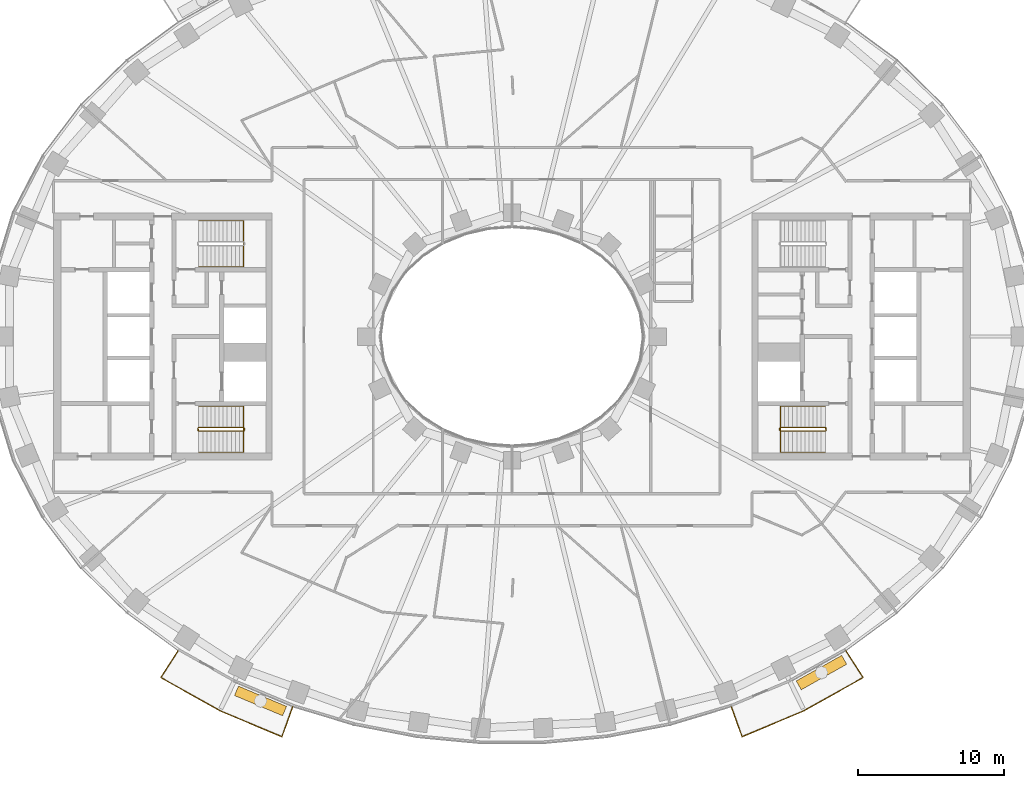
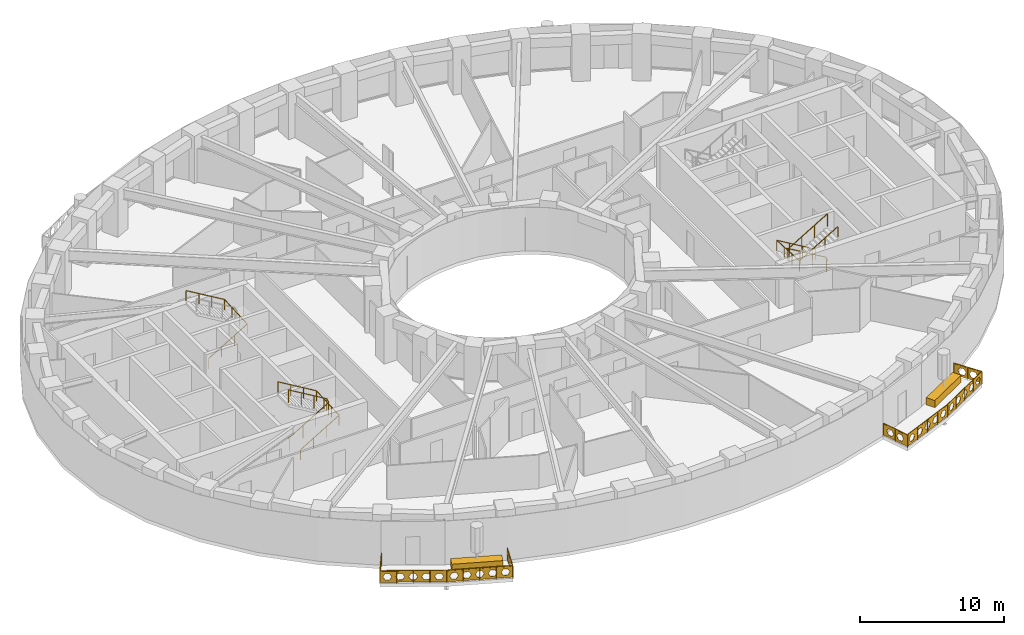
# One storey, part 13 of 15: 7 railings, 2 coverings.
"""IFC4 building model written with IfcOpenShell, lengths in metres."""

from ifc_helpers import new_model, si_unit, direction, frame, origin, origin_2d, place, context, subcontext, project, spatial, polyline, rectangle, outline, extrude, material, type_object, element, save


model = new_model("IFC4")

# Units and contexts
model_context = context("Model", 3, precision=1e-05, world=origin(), true_north=direction((0.0, 1.0)))
body_context = subcontext(model_context, "Body", "Model", "MODEL_VIEW")
ifc_project = project(units=[si_unit("LENGTHUNIT", "METRE"), si_unit("AREAUNIT", "SQUARE_METRE"), si_unit("VOLUMEUNIT", "CUBIC_METRE"), si_unit("PLANEANGLEUNIT", "RADIAN"), si_unit("MASSUNIT", "GRAM", prefix="KILO")], contexts=[model_context])

# Site, building, storey
site_placement = place(None, origin())
site = spatial("IfcSite", under=ifc_project, at=site_placement, CompositionType="ELEMENT")
building_placement = place(site_placement, origin())
building = spatial("IfcBuilding", under=site, at=building_placement, Name="Noorbagh Ring Tower", CompositionType="ELEMENT")
storey_placement = place(building_placement, frame((0.0, 0.0, 92.0)))
storey = spatial("IfcBuildingStorey", under=building, at=storey_placement, Name="L20", CompositionType="ELEMENT", Elevation=92.0)

# Railings
ifc_material_1 = material(Name="Stainless steel", Category="steel")
railing_type_1 = type_object("IfcRailingType", Name="CORE-STAIR-GUARD", PredefinedType="GUARDRAIL", material=ifc_material_1)
railing_1_placement = place(storey_placement, frame((-21.580078125, -6.449951171875, 0.0)))
element("IfcRailing", 1, at=railing_1_placement, inside=storey, type_object=railing_type_1, Name="L20 ST2 stair guard", PredefinedType="GUARDRAIL", context=body_context, shape_type="SweptSolid", body=[
    extrude(rectangle(XDim=0.048095703125, YDim=0.048095703125, at=origin_2d()), frame((0.0, 0.0, 1.076171875), z_axis=(0.0, 1.0, 0.0), x_axis=(-1.0, 0.0, 0.0)), (0.0, 0.0, 1.0), 0.14990234375),
    extrude(rectangle(XDim=0.048095703125, YDim=0.048095703125, at=origin_2d()), frame((0.0, 0.14990234375, 1.076171875), z_axis=(0.188775798145, -0.754182335027, 0.628945707965), x_axis=(0.970072785993, 0.242814311512, 0.0)), (0.0, 0.0, 1.0), 0.26513671875),
    extrude(rectangle(XDim=0.048095703125, YDim=0.048095703125, at=origin_2d()), frame((0.050048828125, -0.050048828125, 1.24267578125), z_axis=(0.859308565015, 0.0, 0.511457515432), x_axis=(0.0, 1.0, 0.0)), (0.0, 0.0, 1.0), 3.58447265625),
    extrude(rectangle(XDim=0.048095703125, YDim=0.048095703125, at=origin_2d()), frame((3.130126953125, -0.050048828125, 3.076171875), z_axis=(0.707106781187, 0.707106781187, 0.0), x_axis=(-0.707106781187, 0.707106781187, 0.0)), (0.0, 0.0, 1.0), 0.07080078125),
    extrude(rectangle(XDim=0.048095703125, YDim=0.048095703125, at=origin_2d()), frame((3.18017578125, 0.0, 3.076171875), z_axis=(0.0, 1.0, 0.0), x_axis=(-1.0, 0.0, 0.0)), (0.0, 0.0, 1.0), 0.14990234375),
    extrude(rectangle(XDim=0.048095703125, YDim=0.048095703125, at=origin_2d()), frame((3.18017578125, 0.14990234375, 3.076171875), z_axis=(-0.27628659633, 0.27628659633, 0.920506074601), x_axis=(-0.707106781187, -0.707106781187, 0.0)), (0.0, 0.0, 1.0), 0.18115234375),
    extrude(rectangle(XDim=0.048095703125, YDim=0.048095703125, at=origin_2d()), frame((3.130126953125, 0.199951171875, 3.24267578125), z_axis=(-0.859308565015, 0.0, 0.511457515432), x_axis=(0.0, -1.0, 0.0)), (0.0, 0.0, 1.0), 3.58447265625),
    extrude(rectangle(XDim=0.0419921875, YDim=0.0419921875, at=origin_2d()), origin(), (0.0, 0.0, 1.0), 1.052001953125),
    extrude(rectangle(XDim=0.0419921875, YDim=0.0419921875, at=origin_2d()), frame((1.07666015625, -0.050048828125, 0.77783203125)), (0.0, 0.0, 1.0), 1.052001953125),
    extrude(rectangle(XDim=0.0419921875, YDim=0.0419921875, at=origin_2d()), frame((2.103515625, -0.050048828125, 1.388916015625)), (0.0, 0.0, 1.0), 1.052001953125),
    extrude(rectangle(XDim=0.0419921875, YDim=0.0419921875, at=origin_2d()), frame((3.130126953125, -0.050048828125, 2.0)), (0.0, 0.0, 1.0), 1.052001953125),
    extrude(rectangle(XDim=0.0419921875, YDim=0.0419921875, at=origin_2d()), frame((3.130126953125, 0.199951171875, 2.166748046875)), (0.0, 0.0, 1.0), 1.052001953125),
    extrude(rectangle(XDim=0.0419921875, YDim=0.0419921875, at=origin_2d()), frame((2.103515625, 0.199951171875, 2.77783203125)), (0.0, 0.0, 1.0), 1.052001953125),
    extrude(rectangle(XDim=0.0419921875, YDim=0.0419921875, at=origin_2d()), frame((1.07666015625, 0.199951171875, 3.388916015625)), (0.0, 0.0, 1.0), 1.052001953125),
    extrude(rectangle(XDim=0.0419921875, YDim=0.0419921875, at=origin_2d()), frame((0.050048828125, 0.199951171875, 4.0)), (0.0, 0.0, 1.0), 1.052001953125),
])
railing_2_placement = place(storey_placement, frame((21.580078125, -6.300048828125, 0.0)))
element("IfcRailing", 2, at=railing_2_placement, inside=storey, type_object=railing_type_1, Name="L20 ST4 stair guard", PredefinedType="GUARDRAIL", context=body_context, shape_type="SweptSolid", body=[
    extrude(rectangle(XDim=0.048095703125, YDim=0.048095703125, at=origin_2d()), frame((0.0, 0.0, 1.076171875), z_axis=(0.0, -1.0, 0.0), x_axis=(1.0, 0.0, 0.0)), (0.0, 0.0, 1.0), 0.14990234375),
    extrude(rectangle(XDim=0.048095703125, YDim=0.048095703125, at=origin_2d()), frame((0.0, -0.14990234375, 1.076171875), z_axis=(-0.188775798145, 0.754182335027, 0.628945707965), x_axis=(-0.970072785993, -0.242814311512, 0.0)), (0.0, 0.0, 1.0), 0.26513671875),
    extrude(rectangle(XDim=0.048095703125, YDim=0.048095703125, at=origin_2d()), frame((-0.050048828125, 0.050048828125, 1.24267578125), z_axis=(-0.859308565015, 0.0, 0.511457515432), x_axis=(0.0, -1.0, 0.0)), (0.0, 0.0, 1.0), 3.58447265625),
    extrude(rectangle(XDim=0.048095703125, YDim=0.048095703125, at=origin_2d()), frame((-3.130126953125, 0.050048828125, 3.076171875), z_axis=(-0.707106781187, -0.707106781187, 0.0), x_axis=(0.707106781187, -0.707106781187, 0.0)), (0.0, 0.0, 1.0), 0.07080078125),
    extrude(rectangle(XDim=0.048095703125, YDim=0.048095703125, at=origin_2d()), frame((-3.18017578125, 0.0, 3.076171875), z_axis=(0.0, -1.0, 0.0), x_axis=(1.0, 0.0, 0.0)), (0.0, 0.0, 1.0), 0.14990234375),
    extrude(rectangle(XDim=0.048095703125, YDim=0.048095703125, at=origin_2d()), frame((-3.18017578125, -0.14990234375, 3.076171875), z_axis=(0.27628659633, -0.27628659633, 0.920506074601), x_axis=(0.707106781187, 0.707106781187, 0.0)), (0.0, 0.0, 1.0), 0.18115234375),
    extrude(rectangle(XDim=0.048095703125, YDim=0.048095703125, at=origin_2d()), frame((-3.130126953125, -0.199951171875, 3.24267578125), z_axis=(0.859308565015, 0.0, 0.511457515432), x_axis=(0.0, 1.0, 0.0)), (0.0, 0.0, 1.0), 3.58447265625),
    extrude(rectangle(XDim=0.0419921875, YDim=0.0419921875, at=origin_2d()), origin(), (0.0, 0.0, 1.0), 1.052001953125),
    extrude(rectangle(XDim=0.0419921875, YDim=0.0419921875, at=origin_2d()), frame((-1.07666015625, 0.050048828125, 0.77783203125)), (0.0, 0.0, 1.0), 1.052001953125),
    extrude(rectangle(XDim=0.0419921875, YDim=0.0419921875, at=origin_2d()), frame((-2.103515625, 0.050048828125, 1.388916015625)), (0.0, 0.0, 1.0), 1.052001953125),
    extrude(rectangle(XDim=0.0419921875, YDim=0.0419921875, at=origin_2d()), frame((-3.130126953125, 0.050048828125, 2.0)), (0.0, 0.0, 1.0), 1.052001953125),
    extrude(rectangle(XDim=0.0419921875, YDim=0.0419921875, at=origin_2d()), frame((-3.130126953125, -0.199951171875, 2.166748046875)), (0.0, 0.0, 1.0), 1.052001953125),
    extrude(rectangle(XDim=0.0419921875, YDim=0.0419921875, at=origin_2d()), frame((-2.103515625, -0.199951171875, 2.77783203125)), (0.0, 0.0, 1.0), 1.052001953125),
    extrude(rectangle(XDim=0.0419921875, YDim=0.0419921875, at=origin_2d()), frame((-1.07666015625, -0.199951171875, 3.388916015625)), (0.0, 0.0, 1.0), 1.052001953125),
    extrude(rectangle(XDim=0.0419921875, YDim=0.0419921875, at=origin_2d()), frame((-0.050048828125, -0.199951171875, 4.0)), (0.0, 0.0, 1.0), 1.052001953125),
])
ifc_material_2 = material(Name="Stainless steel", Category="steel")
railing_type_2 = type_object("IfcRailingType", Name="CORE-STAIR-HANDRAIL", PredefinedType="HANDRAIL", material=ifc_material_2)
railing_3_placement = place(storey_placement, frame((-21.530029296875, 4.800048828125, 0.166748046875)))
element("IfcRailing", 3, at=railing_3_placement, inside=storey, type_object=railing_type_2, Name="L20 ST1 stair handrail", PredefinedType="HANDRAIL", context=body_context, shape_type="SweptSolid", body=[
    extrude(rectangle(XDim=0.048095703125, YDim=0.048095703125, at=origin_2d()), frame((0.0, 0.0, 0.8759765625), z_axis=(0.859308565015, 0.0, 0.511457515432), x_axis=(0.0, 1.0, 0.0)), (0.0, 0.0, 1.0), 3.58447265625),
    extrude(rectangle(XDim=0.048095703125, YDim=0.048095703125, at=origin_2d()), frame((3.080078125, 0.0, 2.708984375), z_axis=(0.0, 0.998601747152, 0.052863509014), x_axis=(-1.0, 0.0, 0.0)), (0.0, 0.0, 1.0), 3.154296875),
    extrude(rectangle(XDim=0.048095703125, YDim=0.048095703125, at=origin_2d()), frame((3.080078125, 3.14990234375, 2.8759765625), z_axis=(-0.859308565015, 0.0, 0.511457515432), x_axis=(0.0, -1.0, 0.0)), (0.0, 0.0, 1.0), 3.58447265625),
    extrude(rectangle(XDim=0.0419921875, YDim=0.0419921875, at=origin_2d()), origin(), (0.0, 0.0, 1.0), 0.851806640625),
    extrude(rectangle(XDim=0.0419921875, YDim=0.0419921875, at=origin_2d()), frame((1.026611328125, 0.0, 0.611083984375)), (0.0, 0.0, 1.0), 0.851806640625),
    extrude(rectangle(XDim=0.0419921875, YDim=0.0419921875, at=origin_2d()), frame((2.053466796875, 0.0, 1.22216796875)), (0.0, 0.0, 1.0), 0.851806640625),
    extrude(rectangle(XDim=0.0419921875, YDim=0.0419921875, at=origin_2d()), frame((3.080078125, 0.0, 1.833251953125)), (0.0, 0.0, 1.0), 0.851806640625),
    extrude(rectangle(XDim=0.0419921875, YDim=0.0419921875, at=origin_2d()), frame((3.080078125, 1.050048828125, 1.888916015625)), (0.0, 0.0, 1.0), 0.851806640625),
    extrude(rectangle(XDim=0.0419921875, YDim=0.0419921875, at=origin_2d()), frame((3.080078125, 2.099853515625, 1.9443359375)), (0.0, 0.0, 1.0), 0.851806640625),
    extrude(rectangle(XDim=0.0419921875, YDim=0.0419921875, at=origin_2d()), frame((3.080078125, 3.14990234375, 2.0)), (0.0, 0.0, 1.0), 0.851806640625),
    extrude(rectangle(XDim=0.0419921875, YDim=0.0419921875, at=origin_2d()), frame((2.053466796875, 3.14990234375, 2.611083984375)), (0.0, 0.0, 1.0), 0.851806640625),
    extrude(rectangle(XDim=0.0419921875, YDim=0.0419921875, at=origin_2d()), frame((1.026611328125, 3.14990234375, 3.22216796875)), (0.0, 0.0, 1.0), 0.851806640625),
    extrude(rectangle(XDim=0.0419921875, YDim=0.0419921875, at=origin_2d()), frame((0.0, 3.14990234375, 3.833251953125)), (0.0, 0.0, 1.0), 0.851806640625),
])
railing_4_placement = place(storey_placement, frame((-21.530029296875, -7.949951171875, 0.166748046875)))
element("IfcRailing", 4, at=railing_4_placement, inside=storey, type_object=railing_type_2, Name="L20 ST2 stair handrail", PredefinedType="HANDRAIL", context=body_context, shape_type="SweptSolid", body=[
    extrude(rectangle(XDim=0.048095703125, YDim=0.048095703125, at=origin_2d()), frame((0.0, 0.0, 0.8759765625), z_axis=(0.859308565015, 0.0, 0.511457515432), x_axis=(0.0, 1.0, 0.0)), (0.0, 0.0, 1.0), 3.58447265625),
    extrude(rectangle(XDim=0.048095703125, YDim=0.048095703125, at=origin_2d()), frame((3.080078125, 0.0, 2.708984375), z_axis=(0.0, 0.998601747152, 0.052863509014), x_axis=(-1.0, 0.0, 0.0)), (0.0, 0.0, 1.0), 3.154296875),
    extrude(rectangle(XDim=0.048095703125, YDim=0.048095703125, at=origin_2d()), frame((3.080078125, 3.14990234375, 2.8759765625), z_axis=(-0.859308565015, 0.0, 0.511457515432), x_axis=(0.0, -1.0, 0.0)), (0.0, 0.0, 1.0), 3.58447265625),
    extrude(rectangle(XDim=0.0419921875, YDim=0.0419921875, at=origin_2d()), origin(), (0.0, 0.0, 1.0), 0.851806640625),
    extrude(rectangle(XDim=0.0419921875, YDim=0.0419921875, at=origin_2d()), frame((1.026611328125, 0.0, 0.611083984375)), (0.0, 0.0, 1.0), 0.851806640625),
    extrude(rectangle(XDim=0.0419921875, YDim=0.0419921875, at=origin_2d()), frame((2.053466796875, 0.0, 1.22216796875)), (0.0, 0.0, 1.0), 0.851806640625),
    extrude(rectangle(XDim=0.0419921875, YDim=0.0419921875, at=origin_2d()), frame((3.080078125, 0.0, 1.833251953125)), (0.0, 0.0, 1.0), 0.851806640625),
    extrude(rectangle(XDim=0.0419921875, YDim=0.0419921875, at=origin_2d()), frame((3.080078125, 1.050048828125, 1.888916015625)), (0.0, 0.0, 1.0), 0.851806640625),
    extrude(rectangle(XDim=0.0419921875, YDim=0.0419921875, at=origin_2d()), frame((3.080078125, 2.099853515625, 1.9443359375)), (0.0, 0.0, 1.0), 0.851806640625),
    extrude(rectangle(XDim=0.0419921875, YDim=0.0419921875, at=origin_2d()), frame((3.080078125, 3.14990234375, 2.0)), (0.0, 0.0, 1.0), 0.851806640625),
    extrude(rectangle(XDim=0.0419921875, YDim=0.0419921875, at=origin_2d()), frame((2.053466796875, 3.14990234375, 2.611083984375)), (0.0, 0.0, 1.0), 0.851806640625),
    extrude(rectangle(XDim=0.0419921875, YDim=0.0419921875, at=origin_2d()), frame((1.026611328125, 3.14990234375, 3.22216796875)), (0.0, 0.0, 1.0), 0.851806640625),
    extrude(rectangle(XDim=0.0419921875, YDim=0.0419921875, at=origin_2d()), frame((0.0, 3.14990234375, 3.833251953125)), (0.0, 0.0, 1.0), 0.851806640625),
])
railing_5_placement = place(storey_placement, frame((21.530029296875, -4.800048828125, 0.166748046875)))
element("IfcRailing", 5, at=railing_5_placement, inside=storey, type_object=railing_type_2, Name="L20 ST4 stair handrail", PredefinedType="HANDRAIL", context=body_context, shape_type="SweptSolid", body=[
    extrude(rectangle(XDim=0.048095703125, YDim=0.048095703125, at=origin_2d()), frame((0.0, 0.0, 0.8759765625), z_axis=(-0.859308565015, 0.0, 0.511457515432), x_axis=(0.0, -1.0, 0.0)), (0.0, 0.0, 1.0), 3.58447265625),
    extrude(rectangle(XDim=0.048095703125, YDim=0.048095703125, at=origin_2d()), frame((-3.080078125, 0.0, 2.708984375), z_axis=(0.0, -0.998601747152, 0.052863509014), x_axis=(1.0, 0.0, 0.0)), (0.0, 0.0, 1.0), 3.154296875),
    extrude(rectangle(XDim=0.048095703125, YDim=0.048095703125, at=origin_2d()), frame((-3.080078125, -3.14990234375, 2.8759765625), z_axis=(0.859308565015, 0.0, 0.511457515432), x_axis=(0.0, 1.0, 0.0)), (0.0, 0.0, 1.0), 3.58447265625),
    extrude(rectangle(XDim=0.0419921875, YDim=0.0419921875, at=origin_2d()), origin(), (0.0, 0.0, 1.0), 0.851806640625),
    extrude(rectangle(XDim=0.0419921875, YDim=0.0419921875, at=origin_2d()), frame((-1.026611328125, 0.0, 0.611083984375)), (0.0, 0.0, 1.0), 0.851806640625),
    extrude(rectangle(XDim=0.0419921875, YDim=0.0419921875, at=origin_2d()), frame((-2.053466796875, 0.0, 1.22216796875)), (0.0, 0.0, 1.0), 0.851806640625),
    extrude(rectangle(XDim=0.0419921875, YDim=0.0419921875, at=origin_2d()), frame((-3.080078125, 0.0, 1.833251953125)), (0.0, 0.0, 1.0), 0.851806640625),
    extrude(rectangle(XDim=0.0419921875, YDim=0.0419921875, at=origin_2d()), frame((-3.080078125, -1.050048828125, 1.888916015625)), (0.0, 0.0, 1.0), 0.851806640625),
    extrude(rectangle(XDim=0.0419921875, YDim=0.0419921875, at=origin_2d()), frame((-3.080078125, -2.099853515625, 1.9443359375)), (0.0, 0.0, 1.0), 0.851806640625),
    extrude(rectangle(XDim=0.0419921875, YDim=0.0419921875, at=origin_2d()), frame((-3.080078125, -3.14990234375, 2.0)), (0.0, 0.0, 1.0), 0.851806640625),
    extrude(rectangle(XDim=0.0419921875, YDim=0.0419921875, at=origin_2d()), frame((-2.053466796875, -3.14990234375, 2.611083984375)), (0.0, 0.0, 1.0), 0.851806640625),
    extrude(rectangle(XDim=0.0419921875, YDim=0.0419921875, at=origin_2d()), frame((-1.026611328125, -3.14990234375, 3.22216796875)), (0.0, 0.0, 1.0), 0.851806640625),
    extrude(rectangle(XDim=0.0419921875, YDim=0.0419921875, at=origin_2d()), frame((0.0, -3.14990234375, 3.833251953125)), (0.0, 0.0, 1.0), 0.851806640625),
])
ifc_material_3 = material(Name="Steel S275 black powder-coated", Category="steel")
railing_type_3 = type_object("IfcRailingType", Name="ENV-GUARD", PredefinedType="GUARDRAIL", material=ifc_material_3)
railing_6_placement = place(storey_placement, frame((-22.9326171875, -21.583740234375, 0.0)))
element("IfcRailing", 6, at=railing_6_placement, inside=storey, type_object=railing_type_3, Name="Balcony guard BS02", PredefinedType="GUARDRAIL", context=body_context, shape_type="SweptSolid", body=[
    extrude(rectangle(XDim=0.048095703125, YDim=0.048095703125, at=origin_2d()), frame((0.0, 0.0, 1.076171875), z_axis=(-0.542268136821, -0.840205491406, 0.0), x_axis=(0.840205491406, -0.542268136821, 0.0)), (0.0, 0.0, 1.0), 2.204345703125),
    extrude(rectangle(XDim=0.048095703125, YDim=0.048095703125, at=origin_2d()), frame((-1.1953125, -1.85205078125, 1.076171875), z_axis=(0.872052247658, -0.489412788303, 0.0), x_axis=(0.489412788303, 0.872052247658, 0.0)), (0.0, 0.0, 1.0), 4.646240234375),
    extrude(rectangle(XDim=0.048095703125, YDim=0.048095703125, at=origin_2d()), frame((2.8564453125, -4.1259765625, 1.076171875), z_axis=(0.921809087722, -0.387644174203, 0.0), x_axis=(0.387644174203, 0.921809087722, 0.0)), (0.0, 0.0, 1.0), 4.627197265625),
    extrude(rectangle(XDim=0.048095703125, YDim=0.048095703125, at=origin_2d()), frame((7.121826171875, -5.919677734375, 1.076171875), z_axis=(0.338350546839, 0.941020141896, 0.0), x_axis=(-0.941020141896, 0.338350546839, 0.0)), (0.0, 0.0, 1.0), 2.202880859375),
    extrude(rectangle(XDim=0.0419921875, YDim=0.0419921875, at=origin_2d()), origin(), (0.0, 0.0, 1.0), 1.052001953125),
    extrude(rectangle(XDim=0.0419921875, YDim=0.0419921875, at=origin_2d()), frame((-0.59765625, -0.926025390625, 0.0)), (0.0, 0.0, 1.0), 1.052001953125),
    extrude(rectangle(XDim=0.0419921875, YDim=0.0419921875, at=origin_2d()), frame((-1.1953125, -1.85205078125, 0.0)), (0.0, 0.0, 1.0), 1.052001953125),
    extrude(rectangle(XDim=0.0419921875, YDim=0.0419921875, at=origin_2d()), frame((-0.182373046875, -2.42041015625, 0.0)), (0.0, 0.0, 1.0), 1.052001953125),
    extrude(rectangle(XDim=0.0419921875, YDim=0.0419921875, at=origin_2d()), frame((0.83056640625, -2.989013671875, 0.0)), (0.0, 0.0, 1.0), 1.052001953125),
    extrude(rectangle(XDim=0.0419921875, YDim=0.0419921875, at=origin_2d()), frame((1.843505859375, -3.5576171875, 0.0)), (0.0, 0.0, 1.0), 1.052001953125),
    extrude(rectangle(XDim=0.0419921875, YDim=0.0419921875, at=origin_2d()), frame((2.8564453125, -4.1259765625, 0.0)), (0.0, 0.0, 1.0), 1.052001953125),
    extrude(rectangle(XDim=0.0419921875, YDim=0.0419921875, at=origin_2d()), frame((3.9228515625, -4.574462890625, 0.0)), (0.0, 0.0, 1.0), 1.052001953125),
    extrude(rectangle(XDim=0.0419921875, YDim=0.0419921875, at=origin_2d()), frame((4.9892578125, -5.02294921875, 0.0)), (0.0, 0.0, 1.0), 1.052001953125),
    extrude(rectangle(XDim=0.0419921875, YDim=0.0419921875, at=origin_2d()), frame((6.055419921875, -5.47119140625, 0.0)), (0.0, 0.0, 1.0), 1.052001953125),
    extrude(rectangle(XDim=0.0419921875, YDim=0.0419921875, at=origin_2d()), frame((7.121826171875, -5.919677734375, 0.0)), (0.0, 0.0, 1.0), 1.052001953125),
    extrude(rectangle(XDim=0.0419921875, YDim=0.0419921875, at=origin_2d()), frame((7.49462890625, -4.88330078125, 0.0)), (0.0, 0.0, 1.0), 1.052001953125),
    extrude(rectangle(XDim=0.0419921875, YDim=0.0419921875, at=origin_2d()), frame((7.8671875, -3.8466796875, 0.0)), (0.0, 0.0, 1.0), 1.052001953125),
    extrude(outline(polyline([(0.0, 0.10009765625), (2.204345703125, 0.10009765625), (2.204345703125, 1.031982421875), (0.0, 1.031982421875), (0.0, 0.10009765625)]), holes=[polyline([(0.962158203125, 0.56591796875), (0.80712890625, 0.83447265625), (0.4970703125, 0.83447265625), (0.342041015625, 0.56591796875), (0.4970703125, 0.297607421875), (0.80712890625, 0.297607421875), (0.962158203125, 0.56591796875)]), polyline([(1.862060546875, 0.56591796875), (1.70703125, 0.83447265625), (1.397216796875, 0.83447265625), (1.2421875, 0.56591796875), (1.397216796875, 0.297607421875), (1.70703125, 0.297607421875), (1.862060546875, 0.56591796875)])]), frame((0.00830078125, -0.00537109375, 0.0), z_axis=(-0.840205491406, 0.542268136821, 0.0), x_axis=(-0.542268136821, -0.840205491406, 0.0)), (0.0, 0.0, 1.0), 0.02001953125),
    extrude(outline(polyline([(0.0, 0.10009765625), (4.646240234375, 0.10009765625), (4.646240234375, 1.031982421875), (0.0, 1.031982421875), (0.0, 0.10009765625)]), holes=[polyline([(0.8330078125, 0.56591796875), (0.67822265625, 0.83447265625), (0.3681640625, 0.83447265625), (0.213134765625, 0.56591796875), (0.3681640625, 0.297607421875), (0.67822265625, 0.297607421875), (0.8330078125, 0.56591796875)]), polyline([(1.733154296875, 0.56591796875), (1.578125, 0.83447265625), (1.26806640625, 0.83447265625), (1.113037109375, 0.56591796875), (1.26806640625, 0.297607421875), (1.578125, 0.297607421875), (1.733154296875, 0.56591796875)]), polyline([(2.633056640625, 0.56591796875), (2.47802734375, 0.83447265625), (2.168212890625, 0.83447265625), (2.01318359375, 0.56591796875), (2.168212890625, 0.297607421875), (2.47802734375, 0.297607421875), (2.633056640625, 0.56591796875)]), polyline([(3.533203125, 0.56591796875), (3.378173828125, 0.83447265625), (3.068115234375, 0.83447265625), (2.9130859375, 0.56591796875), (3.068115234375, 0.297607421875), (3.378173828125, 0.297607421875), (3.533203125, 0.56591796875)]), polyline([(4.43310546875, 0.56591796875), (4.278076171875, 0.83447265625), (3.968017578125, 0.83447265625), (3.813232421875, 0.56591796875), (3.968017578125, 0.297607421875), (4.278076171875, 0.297607421875), (4.43310546875, 0.56591796875)])]), frame((-1.1904296875, -1.84326171875, 0.0), z_axis=(-0.489412788303, -0.872052247658, 0.0), x_axis=(0.872052247658, -0.489412788303, 0.0)), (0.0, 0.0, 1.0), 0.02001953125),
    extrude(outline(polyline([(0.0, 0.10009765625), (4.627197265625, 0.10009765625), (4.627197265625, 1.031982421875), (0.0, 1.031982421875), (0.0, 0.10009765625)]), holes=[polyline([(0.823486328125, 0.56591796875), (0.668701171875, 0.83447265625), (0.358642578125, 0.83447265625), (0.20361328125, 0.56591796875), (0.358642578125, 0.297607421875), (0.668701171875, 0.297607421875), (0.823486328125, 0.56591796875)]), polyline([(1.7236328125, 0.56591796875), (1.568603515625, 0.83447265625), (1.258544921875, 0.83447265625), (1.103515625, 0.56591796875), (1.258544921875, 0.297607421875), (1.568603515625, 0.297607421875), (1.7236328125, 0.56591796875)]), polyline([(2.62353515625, 0.56591796875), (2.468505859375, 0.83447265625), (2.15869140625, 0.83447265625), (2.003662109375, 0.56591796875), (2.15869140625, 0.297607421875), (2.468505859375, 0.297607421875), (2.62353515625, 0.56591796875)]), polyline([(3.523681640625, 0.56591796875), (3.36865234375, 0.83447265625), (3.05859375, 0.83447265625), (2.903564453125, 0.56591796875), (3.05859375, 0.297607421875), (3.36865234375, 0.297607421875), (3.523681640625, 0.56591796875)]), polyline([(4.423583984375, 0.56591796875), (4.2685546875, 0.83447265625), (3.95849609375, 0.83447265625), (3.8037109375, 0.56591796875), (3.95849609375, 0.297607421875), (4.2685546875, 0.297607421875), (4.423583984375, 0.56591796875)])]), frame((2.8603515625, -4.11669921875, 0.0), z_axis=(-0.387644174203, -0.921809087722, 0.0), x_axis=(0.921809087722, -0.387644174203, 0.0)), (0.0, 0.0, 1.0), 0.02001953125),
    extrude(outline(polyline([(0.0, 0.10009765625), (2.202880859375, 0.10009765625), (2.202880859375, 1.031982421875), (0.0, 1.031982421875), (0.0, 0.10009765625)]), holes=[polyline([(0.96142578125, 0.56591796875), (0.806396484375, 0.83447265625), (0.49658203125, 0.83447265625), (0.341552734375, 0.56591796875), (0.49658203125, 0.297607421875), (0.806396484375, 0.297607421875), (0.96142578125, 0.56591796875)]), polyline([(1.861572265625, 0.56591796875), (1.70654296875, 0.83447265625), (1.396484375, 0.83447265625), (1.241455078125, 0.56591796875), (1.396484375, 0.297607421875), (1.70654296875, 0.297607421875), (1.861572265625, 0.56591796875)])]), frame((7.1123046875, -5.916259765625, 0.0), z_axis=(0.941020141896, -0.338350546839, 0.0), x_axis=(0.338350546839, 0.941020141896, 0.0)), (0.0, 0.0, 1.0), 0.02001953125),
])
railing_7_placement = place(storey_placement, frame((15.0654296875, -25.430419921875, 0.0)))
element("IfcRailing", 7, at=railing_7_placement, inside=storey, type_object=railing_type_3, Name="Balcony guard BS05", PredefinedType="GUARDRAIL", context=body_context, shape_type="SweptSolid", body=[
    extrude(rectangle(XDim=0.048095703125, YDim=0.048095703125, at=origin_2d()), frame((0.0, 0.0, 1.076171875), z_axis=(0.338350546839, -0.941020141896, 0.0), x_axis=(0.941020141896, 0.338350546839, 0.0)), (0.0, 0.0, 1.0), 2.202880859375),
    extrude(rectangle(XDim=0.048095703125, YDim=0.048095703125, at=origin_2d()), frame((0.745361328125, -2.072998046875, 1.076171875), z_axis=(0.921809087722, 0.387644174203, 0.0), x_axis=(-0.387644174203, 0.921809087722, 0.0)), (0.0, 0.0, 1.0), 4.627197265625),
    extrude(rectangle(XDim=0.048095703125, YDim=0.048095703125, at=origin_2d()), frame((5.0107421875, -0.279296875, 1.076171875), z_axis=(0.872052247658, 0.489412788303, 0.0), x_axis=(-0.489412788303, 0.872052247658, 0.0)), (0.0, 0.0, 1.0), 4.646240234375),
    extrude(rectangle(XDim=0.048095703125, YDim=0.048095703125, at=origin_2d()), frame((9.0625, 1.99462890625, 1.076171875), z_axis=(-0.542268136821, 0.840205491406, 0.0), x_axis=(-0.840205491406, -0.542268136821, 0.0)), (0.0, 0.0, 1.0), 2.204345703125),
    extrude(rectangle(XDim=0.0419921875, YDim=0.0419921875, at=origin_2d()), origin(), (0.0, 0.0, 1.0), 1.052001953125),
    extrude(rectangle(XDim=0.0419921875, YDim=0.0419921875, at=origin_2d()), frame((0.37255859375, -1.03662109375, 0.0)), (0.0, 0.0, 1.0), 1.052001953125),
    extrude(rectangle(XDim=0.0419921875, YDim=0.0419921875, at=origin_2d()), frame((0.745361328125, -2.072998046875, 0.0)), (0.0, 0.0, 1.0), 1.052001953125),
    extrude(rectangle(XDim=0.0419921875, YDim=0.0419921875, at=origin_2d()), frame((1.811767578125, -1.62451171875, 0.0)), (0.0, 0.0, 1.0), 1.052001953125),
    extrude(rectangle(XDim=0.0419921875, YDim=0.0419921875, at=origin_2d()), frame((2.8779296875, -1.17626953125, 0.0)), (0.0, 0.0, 1.0), 1.052001953125),
    extrude(rectangle(XDim=0.0419921875, YDim=0.0419921875, at=origin_2d()), frame((3.9443359375, -0.727783203125, 0.0)), (0.0, 0.0, 1.0), 1.052001953125),
    extrude(rectangle(XDim=0.0419921875, YDim=0.0419921875, at=origin_2d()), frame((5.0107421875, -0.279296875, 0.0)), (0.0, 0.0, 1.0), 1.052001953125),
    extrude(rectangle(XDim=0.0419921875, YDim=0.0419921875, at=origin_2d()), frame((6.023681640625, 0.2890625, 0.0)), (0.0, 0.0, 1.0), 1.052001953125),
    extrude(rectangle(XDim=0.0419921875, YDim=0.0419921875, at=origin_2d()), frame((7.03662109375, 0.857666015625, 0.0)), (0.0, 0.0, 1.0), 1.052001953125),
    extrude(rectangle(XDim=0.0419921875, YDim=0.0419921875, at=origin_2d()), frame((8.049560546875, 1.42626953125, 0.0)), (0.0, 0.0, 1.0), 1.052001953125),
    extrude(rectangle(XDim=0.0419921875, YDim=0.0419921875, at=origin_2d()), frame((9.0625, 1.99462890625, 0.0)), (0.0, 0.0, 1.0), 1.052001953125),
    extrude(rectangle(XDim=0.0419921875, YDim=0.0419921875, at=origin_2d()), frame((8.46484375, 2.920654296875, 0.0)), (0.0, 0.0, 1.0), 1.052001953125),
    extrude(rectangle(XDim=0.0419921875, YDim=0.0419921875, at=origin_2d()), frame((7.8671875, 3.8466796875, 0.0)), (0.0, 0.0, 1.0), 1.052001953125),
    extrude(outline(polyline([(0.0, 0.10009765625), (2.202880859375, 0.10009765625), (2.202880859375, 1.031982421875), (0.0, 1.031982421875), (0.0, 0.10009765625)]), holes=[polyline([(0.96142578125, 0.56591796875), (0.806396484375, 0.83447265625), (0.49658203125, 0.83447265625), (0.341552734375, 0.56591796875), (0.49658203125, 0.297607421875), (0.806396484375, 0.297607421875), (0.96142578125, 0.56591796875)]), polyline([(1.861572265625, 0.56591796875), (1.70654296875, 0.83447265625), (1.396484375, 0.83447265625), (1.241455078125, 0.56591796875), (1.396484375, 0.297607421875), (1.70654296875, 0.297607421875), (1.861572265625, 0.56591796875)])]), frame((0.009521484375, 0.00341796875, 0.0), z_axis=(-0.941020141896, -0.338350546839, 0.0), x_axis=(0.338350546839, -0.941020141896, 0.0)), (0.0, 0.0, 1.0), 0.02001953125),
    extrude(outline(polyline([(0.0, 0.10009765625), (4.627197265625, 0.10009765625), (4.627197265625, 1.031982421875), (0.0, 1.031982421875), (0.0, 0.10009765625)]), holes=[polyline([(0.823486328125, 0.56591796875), (0.668701171875, 0.83447265625), (0.358642578125, 0.83447265625), (0.20361328125, 0.56591796875), (0.358642578125, 0.297607421875), (0.668701171875, 0.297607421875), (0.823486328125, 0.56591796875)]), polyline([(1.7236328125, 0.56591796875), (1.568603515625, 0.83447265625), (1.258544921875, 0.83447265625), (1.103515625, 0.56591796875), (1.258544921875, 0.297607421875), (1.568603515625, 0.297607421875), (1.7236328125, 0.56591796875)]), polyline([(2.62353515625, 0.56591796875), (2.468505859375, 0.83447265625), (2.15869140625, 0.83447265625), (2.003662109375, 0.56591796875), (2.15869140625, 0.297607421875), (2.468505859375, 0.297607421875), (2.62353515625, 0.56591796875)]), polyline([(3.523681640625, 0.56591796875), (3.36865234375, 0.83447265625), (3.05859375, 0.83447265625), (2.903564453125, 0.56591796875), (3.05859375, 0.297607421875), (3.36865234375, 0.297607421875), (3.523681640625, 0.56591796875)]), polyline([(4.423583984375, 0.56591796875), (4.2685546875, 0.83447265625), (3.95849609375, 0.83447265625), (3.8037109375, 0.56591796875), (3.95849609375, 0.297607421875), (4.2685546875, 0.297607421875), (4.423583984375, 0.56591796875)])]), frame((0.741455078125, -2.063720703125, 0.0), z_axis=(0.387644174203, -0.921809087722, 0.0), x_axis=(0.921809087722, 0.387644174203, 0.0)), (0.0, 0.0, 1.0), 0.02001953125),
    extrude(outline(polyline([(0.0, 0.10009765625), (4.646240234375, 0.10009765625), (4.646240234375, 1.031982421875), (0.0, 1.031982421875), (0.0, 0.10009765625)]), holes=[polyline([(0.8330078125, 0.56591796875), (0.67822265625, 0.83447265625), (0.3681640625, 0.83447265625), (0.213134765625, 0.56591796875), (0.3681640625, 0.297607421875), (0.67822265625, 0.297607421875), (0.8330078125, 0.56591796875)]), polyline([(1.733154296875, 0.56591796875), (1.578125, 0.83447265625), (1.26806640625, 0.83447265625), (1.113037109375, 0.56591796875), (1.26806640625, 0.297607421875), (1.578125, 0.297607421875), (1.733154296875, 0.56591796875)]), polyline([(2.633056640625, 0.56591796875), (2.47802734375, 0.83447265625), (2.168212890625, 0.83447265625), (2.01318359375, 0.56591796875), (2.168212890625, 0.297607421875), (2.47802734375, 0.297607421875), (2.633056640625, 0.56591796875)]), polyline([(3.533203125, 0.56591796875), (3.378173828125, 0.83447265625), (3.068115234375, 0.83447265625), (2.9130859375, 0.56591796875), (3.068115234375, 0.297607421875), (3.378173828125, 0.297607421875), (3.533203125, 0.56591796875)]), polyline([(4.43310546875, 0.56591796875), (4.278076171875, 0.83447265625), (3.968017578125, 0.83447265625), (3.813232421875, 0.56591796875), (3.968017578125, 0.297607421875), (4.278076171875, 0.297607421875), (4.43310546875, 0.56591796875)])]), frame((5.005859375, -0.2705078125, 0.0), z_axis=(0.489412788303, -0.872052247658, 0.0), x_axis=(0.872052247658, 0.489412788303, 0.0)), (0.0, 0.0, 1.0), 0.02001953125),
    extrude(outline(polyline([(0.0, 0.10009765625), (2.204345703125, 0.10009765625), (2.204345703125, 1.031982421875), (0.0, 1.031982421875), (0.0, 0.10009765625)]), holes=[polyline([(0.962158203125, 0.56591796875), (0.80712890625, 0.83447265625), (0.4970703125, 0.83447265625), (0.342041015625, 0.56591796875), (0.4970703125, 0.297607421875), (0.80712890625, 0.297607421875), (0.962158203125, 0.56591796875)]), polyline([(1.862060546875, 0.56591796875), (1.70703125, 0.83447265625), (1.397216796875, 0.83447265625), (1.2421875, 0.56591796875), (1.397216796875, 0.297607421875), (1.70703125, 0.297607421875), (1.862060546875, 0.56591796875)])]), frame((9.05419921875, 1.9892578125, 0.0), z_axis=(0.840205491406, 0.542268136821, 0.0), x_axis=(-0.542268136821, 0.840205491406, 0.0)), (0.0, 0.0, 1.0), 0.02001953125),
])

# Coverings
ifc_material_4 = material(Name="Concrete C30/37 planter with soil", Category="concrete")
covering_type = type_object("IfcCoveringType", Name="ENV-PLANTER", PredefinedType="CLADDING", material=ifc_material_4)
covering_1_placement = place(storey_placement, frame((-17.280517578125, -25.041259765625, 0.0), z_axis=(0.0, 0.0, 1.0), x_axis=(0.921811566494, -0.387638279686, 0.0)))
element("IfcCovering", 8, at=covering_1_placement, inside=storey, type_object=covering_type, Name="PLANTER BS02", ObjectType="PLANTER", PredefinedType="CLADDING", context=body_context, shape_type="SweptSolid", body=[
    extrude(rectangle(XDim=3.5859375, YDim=0.699951171875, at=origin_2d()), origin(), (0.0, 0.0, 1.0), 0.60009765625),
])
covering_2_placement = place(storey_placement, frame((21.26513671875, -23.093017578125, 0.0), z_axis=(0.0, 0.0, 1.0), x_axis=(0.872044586249, 0.48942643941, 0.0)))
element("IfcCovering", 9, at=covering_2_placement, inside=storey, type_object=covering_type, Name="PLANTER BS05", ObjectType="PLANTER", PredefinedType="CLADDING", context=body_context, shape_type="SweptSolid", body=[
    extrude(rectangle(XDim=3.58544921875, YDim=0.699951171875, at=origin_2d()), origin(), (0.0, 0.0, 1.0), 0.60009765625),
])

save(model, "model.ifc")
